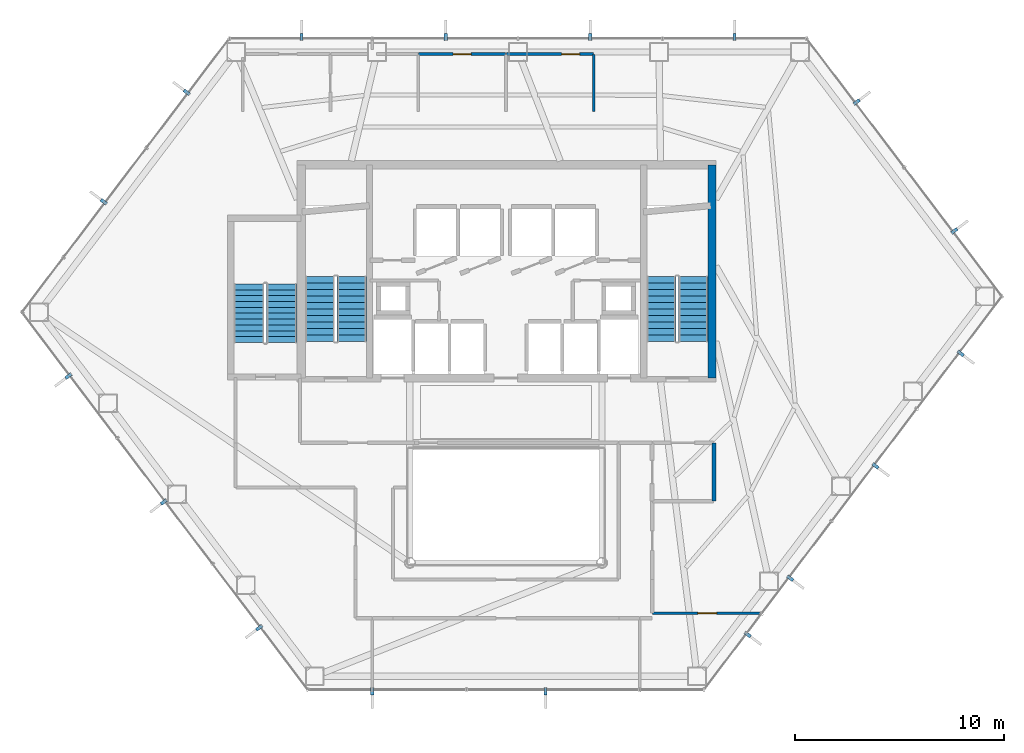
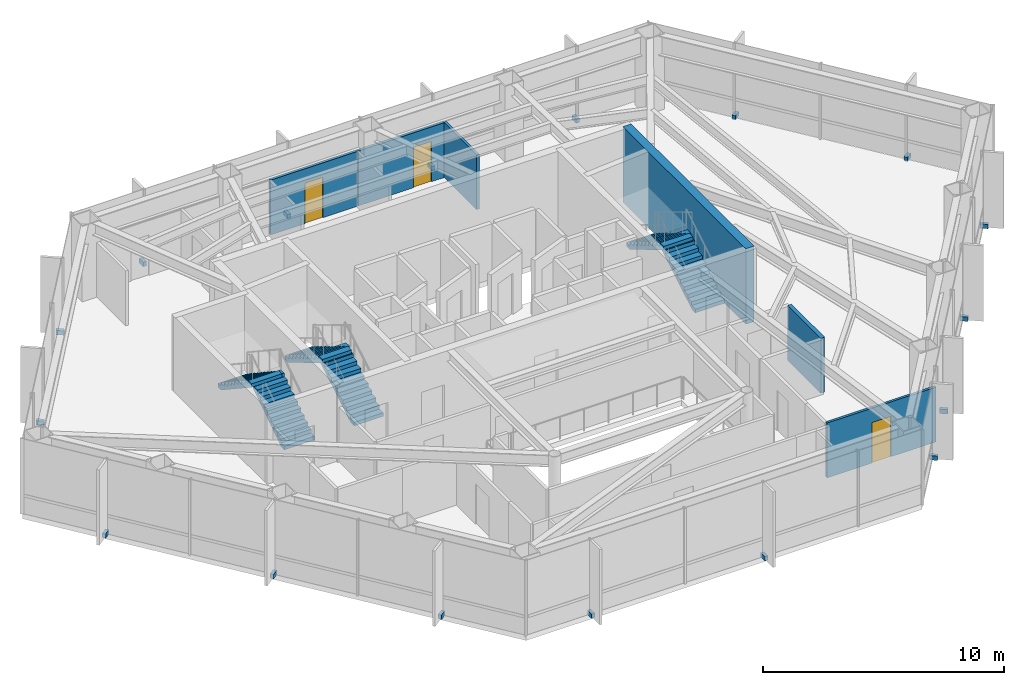
# One storey, part 23 of 24: 17 discrete accessories, 6 stair flights, 6 walls, 3 doors, 3 openings, 3 elements without a shape of their own.
"""IFC4 building model written with IfcOpenShell, lengths in metres."""

import ifcopenshell
import ifcopenshell.guid

model = None  # the IFC model being written
_history = None  # IfcOwnerHistory: only IFC2X3 demands one
_inside = {}  # id of a spatial element -> (the spatial element, [elements in it])
_under = {}  # id of a project, library or spatial element -> (it, [spatial elements below it])
_declared = {}  # id of a project -> (the project, [libraries it declares])
_typed = {}  # id of a type object -> (the type object, [elements of that type])
_made_of = {}  # id of a material, layer set ... -> (it, [elements and type objects made of it])


def new_model(schema):
    """Start an empty IFC model of exactly this schema.

    Asked for "IFC4X3", IfcOpenShell would pick the latest addendum, in which some entities
    have other attributes; the version numbers below select the first issue.
    IFC2X3 requires an IfcOwnerHistory on every rooted entity: one is made here for all.
    """
    global model, _history
    if schema == "IFC4X3":
        model = ifcopenshell.file(schema_version=(4, 3, 0, 0))
    else:
        model = ifcopenshell.file(schema=schema)
    _inside.clear()
    _under.clear()
    _declared.clear()
    _typed.clear()
    _made_of.clear()
    _history = None
    if model.schema == "IFC2X3":
        org = make("IfcOrganization", Name="unknown")
        user = make(
            "IfcPersonAndOrganization",
            ThePerson=make("IfcPerson", FamilyName="unknown"),
            TheOrganization=org,
        )
        app = make(
            "IfcApplication",
            ApplicationDeveloper=org,
            Version="unknown",
            ApplicationFullName="unknown",
            ApplicationIdentifier="unknown",
        )
        _history = make(
            "IfcOwnerHistory",
            OwningUser=user,
            OwningApplication=app,
            ChangeAction="ADDED",
            CreationDate=0,
        )
    return model


def make(cls, **values):
    """One entity of the class cls with the attributes given. An attribute that is None is left unset."""
    return model.create_entity(
        cls, **{name: value for name, value in values.items() if value is not None}
    )


def rooted(cls, **values):
    """An entity with a GlobalId (a new one), such as an element, a storey or a relation."""
    return make(cls, GlobalId=ifcopenshell.guid.new(), OwnerHistory=_history, **values)


def si_unit(unit_type, name, prefix=None):
    """IfcSIUnit, for example si_unit("LENGTHUNIT", "METRE", prefix="MILLI")."""
    return make("IfcSIUnit", UnitType=unit_type, Prefix=prefix, Name=name)


def assignment(units):
    """IfcUnitAssignment: the units of a project."""
    return None if units is None else make("IfcUnitAssignment", Units=units)


def point(xyz):
    """IfcCartesianPoint."""
    return None if xyz is None else make("IfcCartesianPoint", Coordinates=xyz)


def direction(xyz):
    """IfcDirection."""
    return None if xyz is None else make("IfcDirection", DirectionRatios=xyz)


def frame(location, z_axis=None, x_axis=None):
    """IfcAxis2Placement3D, a coordinate frame: its origin and axes. An axis left out is left unset."""
    return make(
        "IfcAxis2Placement3D",
        Location=point(location),
        Axis=direction(z_axis),
        RefDirection=direction(x_axis),
    )


def frame_2d(location, x_axis=None):
    """IfcAxis2Placement2D, a coordinate frame in the plane: its origin and x axis."""
    return make(
        "IfcAxis2Placement2D", Location=point(location), RefDirection=direction(x_axis)
    )


def origin():
    """The frame at (0, 0, 0) with its axes left unset."""
    return frame((0.0, 0.0, 0.0))


def origin_2d():
    """The frame at (0, 0) in the plane with its x axis left unset."""
    return frame_2d((0.0, 0.0))


def place(relative_to, where):
    """IfcLocalPlacement: puts the frame where relative to a parent placement (None: the world)."""
    return make(
        "IfcLocalPlacement", PlacementRelTo=relative_to, RelativePlacement=where
    )


def context(
    kind, dimensions, precision=None, world=None, true_north=None, identifier=None
):
    """IfcGeometricRepresentationContext, for example the 3D "Model" context."""
    return make(
        "IfcGeometricRepresentationContext",
        ContextIdentifier=identifier,
        ContextType=kind,
        CoordinateSpaceDimension=dimensions,
        Precision=precision,
        WorldCoordinateSystem=world,
        TrueNorth=true_north,
    )


def subcontext(parent, identifier, kind, view, scale=None):
    """IfcGeometricRepresentationSubContext, for example "Body" below "Model"."""
    return make(
        "IfcGeometricRepresentationSubContext",
        ContextIdentifier=identifier,
        ContextType=kind,
        ParentContext=parent,
        TargetScale=scale,
        TargetView=view,
    )


def project(units=None, contexts=None):
    """IfcProject with its units and contexts."""
    return rooted(
        "IfcProject",
        Name="project",
        RepresentationContexts=contexts,
        UnitsInContext=assignment(units),
    )


def spatial(cls, under=None, at=None, **own):
    """A site, building, storey or space (cls), placed at a placement, below another one or the project."""
    s = rooted(cls, ObjectPlacement=at, **own)
    if under is not None:
        _under.setdefault(under.id(), (under, []))[1].append(s)
    return s


def polyline(points):
    """IfcPolyline through the points."""
    return make("IfcPolyline", Points=[point(p) for p in points])


def profile(cls, at=None, kind="AREA", **sizes):
    """A parametric profile (cls). Its sizes go by their IFC names, for example OverallWidth=200.0."""
    return make(cls, ProfileType=kind, Position=at, **sizes)


def rectangle(**sizes):
    """IfcRectangleProfileDef."""
    return profile("IfcRectangleProfileDef", **sizes)


def outline(outer, holes=None, kind="AREA"):
    """IfcArbitraryClosedProfileDef: a profile drawn as a closed curve; with holes, ...WithVoids."""
    if holes is None:
        return make("IfcArbitraryClosedProfileDef", ProfileType=kind, OuterCurve=outer)
    return make(
        "IfcArbitraryProfileDefWithVoids",
        ProfileType=kind,
        OuterCurve=outer,
        InnerCurves=holes,
    )


def extrude(swept, where, along, depth):
    """IfcExtrudedAreaSolid: the profile swept, set in the frame where, extruded along a direction by depth."""
    return make(
        "IfcExtrudedAreaSolid",
        SweptArea=swept,
        Position=where,
        ExtrudedDirection=direction(along),
        Depth=depth,
    )


def shape(context_of_items, identifier, shape_type, items):
    """IfcShapeRepresentation: the items that make up one representation, for example the "Body"."""
    return make(
        "IfcShapeRepresentation",
        ContextOfItems=context_of_items,
        RepresentationIdentifier=identifier,
        RepresentationType=shape_type,
        Items=items,
    )


def material(Name=None, Category=None):
    """IfcMaterial."""
    return make("IfcMaterial", Name=Name, Category=Category)


def layer(
    of_material, thickness, ventilated=None, Name=None, Category=None, Priority=None
):
    """IfcMaterialLayer: one layer of a wall or slab, of a material (None: an air gap)."""
    return make(
        "IfcMaterialLayer",
        Material=of_material,
        LayerThickness=thickness,
        IsVentilated=ventilated,
        Name=Name,
        Category=Category,
        Priority=Priority,
    )


def layer_set(layers, Name=None):
    """IfcMaterialLayerSet."""
    return make("IfcMaterialLayerSet", MaterialLayers=layers, LayerSetName=Name)


def made_of(thing, what):
    """Note that an element or type object is made of a material, layer set ...; save() writes the relation."""
    if what is not None:
        _made_of.setdefault(what.id(), (what, []))[1].append(thing)
    return thing


def type_object(cls, material=None, **own):
    """A type object (cls), such as IfcWallType, which elements share."""
    return made_of(rooted(cls, **own), material)


def element(
    cls,
    number,
    at=None,
    inside=None,
    cuts=None,
    type_object=None,
    material=None,
    context=None,
    identifier="Body",
    shape_type=None,
    held_by="IfcProductDefinitionShape",
    body=None,
    shapes=None,
    **own,
):
    """One element of the class cls, such as IfcWall. Its Tag is "e" and its number.

    at: its placement. inside: the storey or other place that contains it. cuts: it is an
    opening in that element (IfcRelVoidsElement). A single representation is given by context,
    identifier, shape_type and body (its items); several are given by shapes. held_by: the class
    of the entity that holds the representations. save() writes the other relations.
    """
    e = rooted(cls, Tag="e%d" % number, ObjectPlacement=at, **own)
    if body is not None:
        shapes = [shape(context, identifier, shape_type, body)]
    if shapes is not None:
        e.Representation = make(held_by, Representations=shapes)
    if inside is not None:
        _inside.setdefault(inside.id(), (inside, []))[1].append(e)
    if cuts is not None:
        rooted(
            "IfcRelVoidsElement", RelatingBuildingElement=cuts, RelatedOpeningElement=e
        )
    if type_object is not None:
        _typed.setdefault(type_object.id(), (type_object, []))[1].append(e)
    return made_of(e, material)


def fill(opening, filler):
    """IfcRelFillsElement: the door or window that sits in an opening."""
    return rooted(
        "IfcRelFillsElement",
        RelatingOpeningElement=opening,
        RelatedBuildingElement=filler,
    )


def aggregate(whole, parts):
    """IfcRelAggregates: a whole, such as a stair, and the parts it consists of."""
    return rooted("IfcRelAggregates", RelatingObject=whole, RelatedObjects=parts)


def save(model, path):
    """Write the relations noted so far, then the file.

    IfcRelAggregates (storeys below a building ...), IfcRelContainedInSpatialStructure (elements
    in a storey), IfcRelDefinesByType, IfcRelAssociatesMaterial and IfcRelDeclares: one each for
    every whole, place, type object, material and project.
    """
    for whole, parts in _under.values():
        aggregate(whole, parts)
    for where, things in _inside.values():
        rooted(
            "IfcRelContainedInSpatialStructure",
            RelatedElements=things,
            RelatingStructure=where,
        )
    for kind, things in _typed.values():
        rooted("IfcRelDefinesByType", RelatedObjects=things, RelatingType=kind)
    for what, things in _made_of.values():
        rooted("IfcRelAssociatesMaterial", RelatedObjects=things, RelatingMaterial=what)
    for by, libraries in _declared.values():
        rooted("IfcRelDeclares", RelatingContext=by, RelatedDefinitions=libraries)
    model.write(path)


model = new_model("IFC4")

# Units and contexts
model_context = context("Model", 3, precision=1e-05, world=origin(), true_north=direction((0.0, 1.0)))
body_context = subcontext(model_context, "Body", "Model", "MODEL_VIEW")
ifc_project = project(units=[si_unit("LENGTHUNIT", "METRE"), si_unit("AREAUNIT", "SQUARE_METRE"), si_unit("VOLUMEUNIT", "CUBIC_METRE"), si_unit("PLANEANGLEUNIT", "RADIAN"), si_unit("MASSUNIT", "GRAM", prefix="KILO")], contexts=[model_context])

# Site, building, storey
site_placement = place(None, origin())
site = spatial("IfcSite", under=ifc_project, at=site_placement, CompositionType="ELEMENT")
building_placement = place(site_placement, origin())
building = spatial("IfcBuilding", under=site, at=building_placement, Name="Zarrinselat Tower", CompositionType="ELEMENT")
storey_placement = place(building_placement, frame((0.0, 0.0, 100.97998046875)))
storey = spatial("IfcBuildingStorey", under=building, at=storey_placement, Name="L24", CompositionType="ELEMENT", Elevation=100.97998046875)

# Wall
ifc_material_1 = material(Name="Concrete C40/50", Category="concrete")
ifc_layer_1 = layer(ifc_material_1, 0.18994140625)
ifc_layer_set_1 = layer_set([ifc_layer_1], Name="Concrete C40/50")
wall_type_1 = type_object("IfcWallType", Name="WAL-PART-EI120", PredefinedType="PARTITIONING", material=ifc_layer_set_1)
wall_1_placement = place(storey_placement, frame((48.35009765625, 27.3701171875, 0.0), z_axis=(0.0, 0.0, 1.0), x_axis=(0.0, 1.0, 0.0)))
element("IfcWall", 1, at=wall_1_placement, inside=storey, type_object=wall_type_1, Name="L24 Partition Wall 14", PredefinedType="PARTITIONING", context=body_context, shape_type="SweptSolid", body=[
    extrude(rectangle(XDim=2.759765625, YDim=0.18994140625, at=frame_2d((1.3798828125, 0.0))), origin(), (0.0, 0.0, 1.0), 2.777099609375),
])

# Wall, opening, door
ifc_material_2 = material(Name="Fire-Rated Gypsum Board Partition", Category="gypsum")
ifc_layer_2 = layer(ifc_material_2, 0.1201171875)
ifc_layer_set_2 = layer_set([ifc_layer_2], Name="Fire-Rated Gypsum Board Partition")
wall_type_2 = type_object("IfcWallType", Name="WAL-PART-STD", PredefinedType="PARTITIONING", material=ifc_layer_set_2)
wall_2_placement = place(storey_placement, frame((45.419921875, 22.0, 0.0), z_axis=(0.0, 0.0, 1.0), x_axis=(1.0, 0.0, 0.0)))
wall_2 = element("IfcWall", 2, at=wall_2_placement, inside=storey, type_object=wall_type_2, Name="L24 Partition Wall 44", PredefinedType="PARTITIONING", context=body_context, shape_type="SweptSolid", body=[
    extrude(rectangle(XDim=5.22265625, YDim=0.1201171875, at=frame_2d((2.611328125, 0.0))), origin(), (0.0, 0.0, 1.0), 2.777099609375),
])
opening_1_placement = place(wall_2_placement, frame((2.1611328125, 0.0, 0.0)))
opening_1 = element("IfcOpeningElement", 3, at=opening_1_placement, cuts=wall_2, Name="Opening ID-05", PredefinedType="OPENING", context=body_context, shape_type="SweptSolid", body=[
    extrude(rectangle(XDim=0.89990234375, YDim=2.050048828125, at=frame_2d((0.449951171875, 1.02490234375))), frame((0.0, 0.070068359375, 0.0), z_axis=(0.0, -1.0, 0.0), x_axis=(1.0, 0.0, 0.0)), (0.0, 0.0, 1.0), 0.14013671875),
])
ifc_material_3 = material(Name="Extruded Aluminium Alloy EN AW-6063 T6", Category="aluminium")
door_type_1 = type_object("IfcDoorType", Name="DR-INT-STD-920", OperationType="NOTDEFINED", PredefinedType="DOOR", material=ifc_material_3)
door_1_placement = place(opening_1_placement, origin())
door_1 = element("IfcDoor", 4, at=door_1_placement, inside=storey, type_object=door_type_1, Name="L24 Interior Door P44", OperationType="SINGLE_SWING_LEFT", OverallHeight=2.050048828125, OverallWidth=0.89990234375, PredefinedType="DOOR", context=body_context, shape_type="SweptSolid", body=[
    extrude(rectangle(XDim=0.89990234375, YDim=2.050048828125, at=frame_2d((0.449951171875, 1.02490234375))), frame((0.0, 0.02490234375, 0.0), z_axis=(0.0, -1.0, 0.0), x_axis=(1.0, 0.0, 0.0)), (0.0, 0.0, 1.0), 0.050048828125),
])
fill(opening_1, door_1)

ifc_material_4 = material(Name="Fire-Rated Gypsum Board Partition", Category="gypsum")
ifc_layer_3 = layer(ifc_material_4, 0.135009765625)
ifc_layer_set_3 = layer_set([ifc_layer_3], Name="Fire-Rated Gypsum Board Partition")
wall_type_3 = type_object("IfcWallType", Name="WAL-PART-WET", PredefinedType="PARTITIONING", material=ifc_layer_set_3)
wall_3_placement = place(storey_placement, frame((34.219970703125, 48.75, 0.0), z_axis=(0.0, 0.0, 1.0), x_axis=(1.0, 0.0, 0.0)))
wall_3 = element("IfcWall", 5, at=wall_3_placement, inside=storey, type_object=wall_type_3, Name="L24 Partition Wall 39", PredefinedType="PARTITIONING", context=body_context, shape_type="SweptSolid", body=[
    extrude(rectangle(XDim=4.159912109375, YDim=0.135009765625, at=frame_2d((2.080078125, 0.0))), origin(), (0.0, 0.0, 1.0), 2.777099609375),
])
opening_2_placement = place(wall_3_placement, frame((1.64990234375, 0.0, 0.0)))
opening_2 = element("IfcOpeningElement", 6, at=opening_2_placement, cuts=wall_3, Name="Opening ID-06", PredefinedType="OPENING", context=body_context, shape_type="SweptSolid", body=[
    extrude(rectangle(XDim=0.860107421875, YDim=2.050048828125, at=frame_2d((0.43017578125, 1.02490234375))), frame((0.0, 0.077392578125, 0.0), z_axis=(0.0, -1.0, 0.0), x_axis=(1.0, 0.0, 0.0)), (0.0, 0.0, 1.0), 0.155029296875),
])
ifc_material_5 = material(Name="Extruded Aluminium Alloy EN AW-6063 T6", Category="aluminium")
door_type_2 = type_object("IfcDoorType", Name="DR-INT-WET-900", OperationType="NOTDEFINED", PredefinedType="DOOR", material=ifc_material_5)
door_2_placement = place(opening_2_placement, origin())
door_2 = element("IfcDoor", 7, at=door_2_placement, inside=storey, type_object=door_type_2, Name="L24 Interior Door P39", OperationType="SINGLE_SWING_LEFT", OverallHeight=2.050048828125, OverallWidth=0.860107421875, PredefinedType="DOOR", context=body_context, shape_type="SweptSolid", body=[
    extrude(rectangle(XDim=0.860107421875, YDim=2.050048828125, at=frame_2d((0.43017578125, 1.02490234375))), frame((0.0, 0.02490234375, 0.0), z_axis=(0.0, -1.0, 0.0), x_axis=(1.0, 0.0, 0.0)), (0.0, 0.0, 1.0), 0.050048828125),
])
fill(opening_2, door_2)

wall_4_placement = place(storey_placement, frame((38.419921875, 48.75, 0.0), z_axis=(0.0, 0.0, 1.0), x_axis=(1.0, 0.0, 0.0)))
wall_4 = element("IfcWall", 8, at=wall_4_placement, inside=storey, type_object=wall_type_3, Name="L24 Partition Wall 40", PredefinedType="PARTITIONING", context=body_context, shape_type="SweptSolid", body=[
    extrude(rectangle(XDim=4.16015625, YDim=0.135009765625, at=frame_2d((2.080078125, 0.0))), origin(), (0.0, 0.0, 1.0), 2.777099609375),
])
opening_3_placement = place(wall_4_placement, frame((2.64990234375, 0.0, 0.0)))
opening_3 = element("IfcOpeningElement", 9, at=opening_3_placement, cuts=wall_4, Name="Opening ID-06", PredefinedType="OPENING", context=body_context, shape_type="SweptSolid", body=[
    extrude(rectangle(XDim=0.860107421875, YDim=2.050048828125, at=frame_2d((0.43017578125, 1.02490234375))), frame((0.0, 0.077392578125, 0.0), z_axis=(0.0, -1.0, 0.0), x_axis=(1.0, 0.0, 0.0)), (0.0, 0.0, 1.0), 0.155029296875),
])
door_3_placement = place(opening_3_placement, origin())
door_3 = element("IfcDoor", 10, at=door_3_placement, inside=storey, type_object=door_type_2, Name="L24 Interior Door P40", OperationType="SINGLE_SWING_RIGHT", OverallHeight=2.050048828125, OverallWidth=0.860107421875, PredefinedType="DOOR", context=body_context, shape_type="SweptSolid", body=[
    extrude(rectangle(XDim=0.860107421875, YDim=2.050048828125, at=frame_2d((0.43017578125, 1.02490234375))), frame((0.0, 0.02490234375, 0.0), z_axis=(0.0, -1.0, 0.0), x_axis=(1.0, 0.0, 0.0)), (0.0, 0.0, 1.0), 0.050048828125),
])
fill(opening_3, door_3)

# Walls
wall_5_placement = place(storey_placement, frame((42.60009765625, 46.0, 0.0), z_axis=(0.0, 0.0, 1.0), x_axis=(0.0, 1.0, 0.0)))
element("IfcWall", 11, at=wall_5_placement, inside=storey, type_object=wall_type_3, Name="L24 Partition Wall 41", PredefinedType="PARTITIONING", context=body_context, shape_type="SweptSolid", body=[
    extrude(rectangle(XDim=2.72998046875, YDim=0.135009765625, at=frame_2d((1.364990234375, 0.0))), origin(), (0.0, 0.0, 1.0), 2.777099609375),
])
ifc_material_6 = material(Name="Concrete C60/75", Category="concrete")
ifc_layer_4 = layer(ifc_material_6, 0.39990234375)
ifc_layer_set_4 = layer_set([ifc_layer_4], Name="Concrete C60/75")
wall_type_4 = type_object("IfcWallType", Name="WAL-SHEAR-400", PredefinedType="SHEAR", material=ifc_layer_set_4)
wall_6_placement = place(storey_placement, frame((48.260009765625, 33.25, 0.0), z_axis=(0.0, 0.0, 1.0), x_axis=(0.0, 1.0, 0.0)))
element("IfcWall", 12, at=wall_6_placement, inside=storey, type_object=wall_type_4, Name="L24 Core Shear Wall E", PredefinedType="SHEAR", context=body_context, shape_type="SweptSolid", body=[
    extrude(rectangle(XDim=10.199951171875, YDim=0.39990234375, at=frame_2d((5.10009765625, 0.0))), origin(), (0.0, 0.0, 1.0), 3.820068359375),
])

# Stair, stair flights
ifc_material_7 = material(Name="Concrete C40/50", Category="concrete")
stair_type_1 = type_object("IfcStairType", Name="STR-CORE-145", PredefinedType="HALF_TURN_STAIR", material=ifc_material_7)
stair_1_placement = place(storey_placement, origin())
stair_1 = element("IfcStair", 13, at=stair_1_placement, inside=storey, type_object=stair_type_1, Name="L24 Podium & Mid-Tower Exit Stair 3", PredefinedType="HALF_TURN_STAIR")
ifc_material_8 = material(Name="Concrete C40/50", Category="concrete")
stair_flight_type_1 = type_object("IfcStairFlightType", Name="STR-FLT-145", PredefinedType="STRAIGHT", material=ifc_material_8)
stair_flight_1_placement = place(storey_placement, frame((27.675048828125, 34.949951171875, 0.0), z_axis=(0.0, 0.0, 1.0), x_axis=(0.0, 1.0, 0.0)))
stair_flight_1 = element("IfcStairFlight", 14, at=stair_flight_1_placement, type_object=stair_flight_type_1, Name="ST-3 flight 1", NumberOfRisers=11, NumberOfTreads=10, PredefinedType="STRAIGHT", RiserHeight=0.185454545, TreadLength=0.28, context=body_context, shape_type="SweptSolid", body=[
    extrude(outline(polyline([(0.0, 0.0), (0.0, 0.185546875), (0.280029296875, 0.185546875), (0.280029296875, 0.370849609375), (0.56005859375, 0.370849609375), (0.56005859375, 0.556396484375), (0.840087890625, 0.556396484375), (0.840087890625, 0.74169921875), (1.1201171875, 0.74169921875), (1.1201171875, 0.92724609375), (1.39990234375, 0.92724609375), (1.39990234375, 1.11279296875), (1.679931640625, 1.11279296875), (1.679931640625, 1.298095703125), (1.9599609375, 1.298095703125), (1.9599609375, 1.483642578125), (2.239990234375, 1.483642578125), (2.239990234375, 1.669189453125), (2.52001953125, 1.669189453125), (2.52001953125, 1.8544921875), (2.800048828125, 1.8544921875), (2.800048828125, 2.0400390625), (2.800048828125, 1.6748046875), (0.271484375, 0.0), (0.0, 0.0)])), frame((0.0, 0.72509765625, 0.0), z_axis=(0.0, -1.0, 0.0), x_axis=(1.0, 0.0, 0.0)), (0.0, 0.0, 1.0), 1.449951171875),
])
stair_flight_2_placement = place(storey_placement, frame((26.10498046875, 37.75, 2.0400390625), z_axis=(0.0, 0.0, 1.0), x_axis=(0.0, -1.0, 0.0)))
stair_flight_2 = element("IfcStairFlight", 15, at=stair_flight_2_placement, type_object=stair_flight_type_1, Name="ST-3 flight 2", NumberOfRisers=11, NumberOfTreads=10, PredefinedType="STRAIGHT", RiserHeight=0.185454545, TreadLength=0.28, context=body_context, shape_type="SweptSolid", body=[
    extrude(outline(polyline([(0.0, 0.0), (0.0, 0.185546875), (0.280029296875, 0.185546875), (0.280029296875, 0.370849609375), (0.56005859375, 0.370849609375), (0.56005859375, 0.556396484375), (0.840087890625, 0.556396484375), (0.840087890625, 0.74169921875), (1.1201171875, 0.74169921875), (1.1201171875, 0.92724609375), (1.39990234375, 0.92724609375), (1.39990234375, 1.11279296875), (1.679931640625, 1.11279296875), (1.679931640625, 1.298095703125), (1.9599609375, 1.298095703125), (1.9599609375, 1.483642578125), (2.239990234375, 1.483642578125), (2.239990234375, 1.669189453125), (2.52001953125, 1.669189453125), (2.52001953125, 1.8544921875), (2.800048828125, 1.8544921875), (2.800048828125, 2.0400390625), (2.800048828125, 1.6748046875), (0.271484375, 0.0), (0.0, 0.0)])), frame((0.0, 0.72509765625, 0.0), z_axis=(0.0, -1.0, 0.0), x_axis=(1.0, 0.0, 0.0)), (0.0, 0.0, 1.0), 1.449951171875),
])
aggregate(stair_1, [stair_flight_1, stair_flight_2])

ifc_material_9 = material(Name="Concrete C40/50", Category="concrete")
stair_type_2 = type_object("IfcStairType", Name="STR-CORE-155", PredefinedType="HALF_TURN_STAIR", material=ifc_material_9)
stair_2_placement = place(storey_placement, origin())
stair_2 = element("IfcStair", 16, at=stair_2_placement, inside=storey, type_object=stair_type_2, Name="L24 Core Exit Stair 1", PredefinedType="HALF_TURN_STAIR")
ifc_material_10 = material(Name="Concrete C40/50", Category="concrete")
stair_flight_type_2 = type_object("IfcStairFlightType", Name="STR-FLT-155", PredefinedType="STRAIGHT", material=ifc_material_10)
stair_flight_3_placement = place(storey_placement, frame((31.02001953125, 35.0, 0.0), z_axis=(0.0, 0.0, 1.0), x_axis=(0.0, 1.0, 0.0)))
stair_flight_3 = element("IfcStairFlight", 17, at=stair_flight_3_placement, type_object=stair_flight_type_2, Name="ST-1 flight 1", NumberOfRisers=11, NumberOfTreads=10, PredefinedType="STRAIGHT", RiserHeight=0.185454545, TreadLength=0.31, context=body_context, shape_type="SweptSolid", body=[
    extrude(outline(polyline([(0.0, 0.0), (0.0, 0.185546875), (0.31005859375, 0.185546875), (0.31005859375, 0.370849609375), (0.6201171875, 0.370849609375), (0.6201171875, 0.556396484375), (0.929931640625, 0.556396484375), (0.929931640625, 0.74169921875), (1.239990234375, 0.74169921875), (1.239990234375, 0.92724609375), (1.550048828125, 0.92724609375), (1.550048828125, 1.11279296875), (1.860107421875, 1.11279296875), (1.860107421875, 1.298095703125), (2.169921875, 1.298095703125), (2.169921875, 1.483642578125), (2.47998046875, 1.483642578125), (2.47998046875, 1.669189453125), (2.7900390625, 1.669189453125), (2.7900390625, 1.8544921875), (3.10009765625, 1.8544921875), (3.10009765625, 2.0400390625), (3.10009765625, 1.679931640625), (0.2919921875, 0.0), (0.0, 0.0)])), frame((0.0, 0.699951171875, 0.0), z_axis=(0.0, -1.0, 0.0), x_axis=(1.0, 0.0, 0.0)), (0.0, 0.0, 1.0), 1.39990234375),
])
stair_flight_4_placement = place(storey_placement, frame((29.5, 38.10009765625, 2.0400390625), z_axis=(0.0, 0.0, 1.0), x_axis=(0.0, -1.0, 0.0)))
stair_flight_4 = element("IfcStairFlight", 18, at=stair_flight_4_placement, type_object=stair_flight_type_2, Name="ST-1 flight 2", NumberOfRisers=11, NumberOfTreads=10, PredefinedType="STRAIGHT", RiserHeight=0.185454545, TreadLength=0.31, context=body_context, shape_type="SweptSolid", body=[
    extrude(outline(polyline([(0.0, 0.0), (0.0, 0.185546875), (0.31005859375, 0.185546875), (0.31005859375, 0.370849609375), (0.6201171875, 0.370849609375), (0.6201171875, 0.556396484375), (0.929931640625, 0.556396484375), (0.929931640625, 0.74169921875), (1.239990234375, 0.74169921875), (1.239990234375, 0.92724609375), (1.550048828125, 0.92724609375), (1.550048828125, 1.11279296875), (1.860107421875, 1.11279296875), (1.860107421875, 1.298095703125), (2.169921875, 1.298095703125), (2.169921875, 1.483642578125), (2.47998046875, 1.483642578125), (2.47998046875, 1.669189453125), (2.7900390625, 1.669189453125), (2.7900390625, 1.8544921875), (3.10009765625, 1.8544921875), (3.10009765625, 2.0400390625), (3.10009765625, 1.679931640625), (0.2919921875, 0.0), (0.0, 0.0)])), frame((0.0, 0.699951171875, 0.0), z_axis=(0.0, -1.0, 0.0), x_axis=(1.0, 0.0, 0.0)), (0.0, 0.0, 1.0), 1.39990234375),
])
aggregate(stair_2, [stair_flight_3, stair_flight_4])

stair_3_placement = place(storey_placement, origin())
stair_3 = element("IfcStair", 19, at=stair_3_placement, inside=storey, type_object=stair_type_2, Name="L24 Core Exit Stair 2", PredefinedType="HALF_TURN_STAIR")
stair_flight_5_placement = place(storey_placement, frame((47.360107421875, 35.0, 0.0), z_axis=(0.0, 0.0, 1.0), x_axis=(0.0, 1.0, 0.0)))
stair_flight_5 = element("IfcStairFlight", 20, at=stair_flight_5_placement, type_object=stair_flight_type_2, Name="ST-2 flight 1", NumberOfRisers=11, NumberOfTreads=10, PredefinedType="STRAIGHT", RiserHeight=0.185454545, TreadLength=0.31, context=body_context, shape_type="SweptSolid", body=[
    extrude(outline(polyline([(0.0, 0.0), (0.0, 0.185546875), (0.31005859375, 0.185546875), (0.31005859375, 0.370849609375), (0.6201171875, 0.370849609375), (0.6201171875, 0.556396484375), (0.929931640625, 0.556396484375), (0.929931640625, 0.74169921875), (1.239990234375, 0.74169921875), (1.239990234375, 0.92724609375), (1.550048828125, 0.92724609375), (1.550048828125, 1.11279296875), (1.860107421875, 1.11279296875), (1.860107421875, 1.298095703125), (2.169921875, 1.298095703125), (2.169921875, 1.483642578125), (2.47998046875, 1.483642578125), (2.47998046875, 1.669189453125), (2.7900390625, 1.669189453125), (2.7900390625, 1.8544921875), (3.10009765625, 1.8544921875), (3.10009765625, 2.0400390625), (3.10009765625, 1.679931640625), (0.2919921875, 0.0), (0.0, 0.0)])), frame((0.0, 0.699951171875, 0.0), z_axis=(0.0, -1.0, 0.0), x_axis=(1.0, 0.0, 0.0)), (0.0, 0.0, 1.0), 1.39990234375),
])
stair_flight_6_placement = place(storey_placement, frame((45.840087890625, 38.10009765625, 2.0400390625), z_axis=(0.0, 0.0, 1.0), x_axis=(0.0, -1.0, 0.0)))
stair_flight_6 = element("IfcStairFlight", 21, at=stair_flight_6_placement, type_object=stair_flight_type_2, Name="ST-2 flight 2", NumberOfRisers=11, NumberOfTreads=10, PredefinedType="STRAIGHT", RiserHeight=0.185454545, TreadLength=0.31, context=body_context, shape_type="SweptSolid", body=[
    extrude(outline(polyline([(0.0, 0.0), (0.0, 0.185546875), (0.31005859375, 0.185546875), (0.31005859375, 0.370849609375), (0.6201171875, 0.370849609375), (0.6201171875, 0.556396484375), (0.929931640625, 0.556396484375), (0.929931640625, 0.74169921875), (1.239990234375, 0.74169921875), (1.239990234375, 0.92724609375), (1.550048828125, 0.92724609375), (1.550048828125, 1.11279296875), (1.860107421875, 1.11279296875), (1.860107421875, 1.298095703125), (2.169921875, 1.298095703125), (2.169921875, 1.483642578125), (2.47998046875, 1.483642578125), (2.47998046875, 1.669189453125), (2.7900390625, 1.669189453125), (2.7900390625, 1.8544921875), (3.10009765625, 1.8544921875), (3.10009765625, 2.0400390625), (3.10009765625, 1.679931640625), (0.2919921875, 0.0), (0.0, 0.0)])), frame((0.0, 0.699951171875, 0.0), z_axis=(0.0, -1.0, 0.0), x_axis=(1.0, 0.0, 0.0)), (0.0, 0.0, 1.0), 1.39990234375),
])
aggregate(stair_3, [stair_flight_5, stair_flight_6])

# Discrete accessories
ifc_material_11 = material(Name="Steel S355J2", Category="steel")
discrete_accessory_type = type_object("IfcDiscreteAccessoryType", Name="ACC-FIN-BRACKET", PredefinedType="BRACKET", material=ifc_material_11)
for number, where, z_axis, x_axis, name in (
    (22, (49.340576171875, 49.570068359375, -0.0498046875), (0.0, 0.0, 1.0), (0.0, 1.0, 0.0), "L24 Fin Fixing Bracket CW-L24-E01-01"),
    (23, (42.432861328125, 49.570068359375, -0.0498046875), (0.0, 0.0, 1.0), (0.0, 1.0, 0.0), "L24 Fin Fixing Bracket CW-L24-E01-03"),
    (24, (35.525146484375, 49.570068359375, -0.0498046875), (0.0, 0.0, 1.0), (0.0, 1.0, 0.0), "L24 Fin Fixing Bracket CW-L24-E01-05"),
    (25, (28.617431640625, 49.570068359375, -0.0498046875), (0.0, 0.0, 1.0), (0.0, 1.0, 0.0), "L24 Fin Fixing Bracket CW-L24-E01-07"),
    (26, (23.122314453125, 46.92138671875, -0.0498046875), (0.0, 0.0, 1.0), (-0.7970942775, 0.603854877249, 0.0), "L24 Fin Fixing Bracket CW-L24-E02-01"),
    (27, (19.151611328125, 41.679931640625, -0.0498046875), (0.0, 0.0, 1.0), (-0.7970942775, 0.603854877249, 0.0), "L24 Fin Fixing Bracket CW-L24-E02-03"),
    (28, (17.462158203125, 33.342041015625, -0.0498046875), (0.0, 0.0, 1.0), (-0.797092083812, -0.603857772927, 0.0), "L24 Fin Fixing Bracket CW-L24-E03-01"),
    (29, (22.025390625, 27.318603515625, -0.0498046875), (0.0, 0.0, 1.0), (-0.797092083812, -0.603857772927, 0.0), "L24 Fin Fixing Bracket CW-L24-E03-03"),
    (30, (26.588623046875, 21.294921875, -0.0498046875), (0.0, 0.0, 1.0), (-0.797092083812, -0.603857772927, 0.0), "L24 Fin Fixing Bracket CW-L24-E03-05"),
    (31, (32.0, 18.255615234375, -0.0498046875), (0.0, 0.0, 1.0), (0.0, -1.0, 0.0), "L24 Fin Fixing Bracket CW-L24-E04-01"),
    (32, (40.294921875, 18.255615234375, -0.0498046875), (0.0, 0.0, 1.0), (0.0, -1.0, 0.0), "L24 Fin Fixing Bracket CW-L24-E04-03"),
    (33, (49.968017578125, 20.97412109375, -0.0498046875), (0.0, 0.0, 1.0), (0.79709190125, -0.603858013909, 0.0), "L24 Fin Fixing Bracket CW-L24-E05-01"),
    (34, (52.006591796875, 23.664794921875, -0.0498046875), (0.0, 0.0, 1.0), (0.79709190125, -0.603858013909, 0.0), "L24 Fin Fixing Bracket CW-L24-E05-03"),
    (35, (56.083251953125, 29.0458984375, -0.0498046875), (0.0, 0.0, 1.0), (0.79709190125, -0.603858013909, 0.0), "L24 Fin Fixing Bracket CW-L24-E05-05"),
    (36, (60.16015625, 34.427490234375, -0.0498046875), (0.0, 0.0, 1.0), (0.79709190125, -0.603858013909, 0.0), "L24 Fin Fixing Bracket CW-L24-E05-07"),
    (37, (59.861328125, 40.28759765625, -0.0498046875), (0.0, 0.0, 1.0), (0.797091582847, 0.6038584342, 0.0), "L24 Fin Fixing Bracket CW-L24-E06-01"),
    (38, (55.187255859375, 46.45751953125, -0.0498046875), (0.0, 0.0, 1.0), (0.797091582847, 0.6038584342, 0.0), "L24 Fin Fixing Bracket CW-L24-E06-03"),
):
    element("IfcDiscreteAccessory", number, at=place(storey_placement, frame(where, z_axis=z_axis, x_axis=x_axis)), inside=storey, type_object=discrete_accessory_type, Name=name, PredefinedType="BRACKET", context=body_context, shape_type="SweptSolid", body=[
        extrude(rectangle(XDim=0.340087890625, YDim=0.159912109375, at=origin_2d()), origin(), (0.0, 0.0, 1.0), 0.219970703125),
    ])

save(model, "model.ifc")
